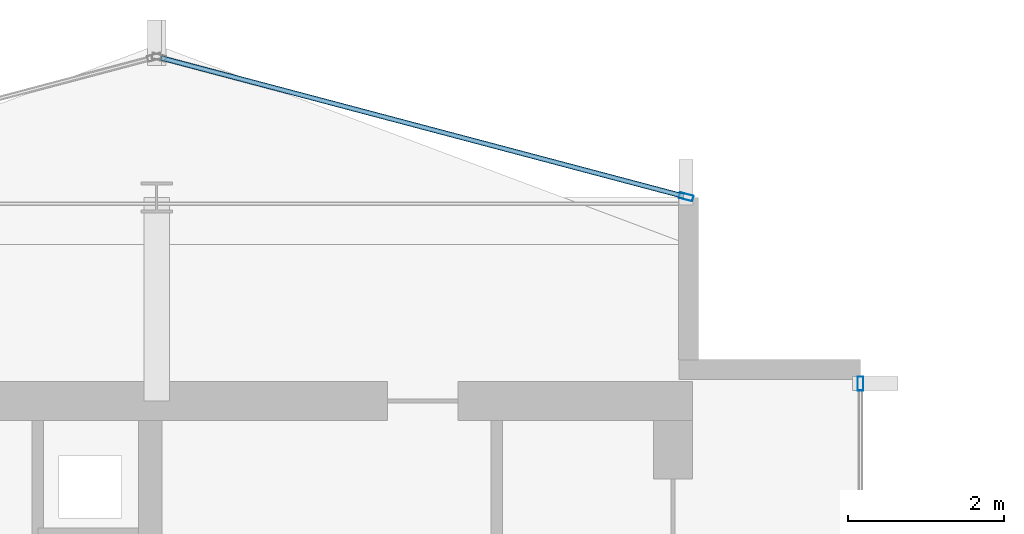
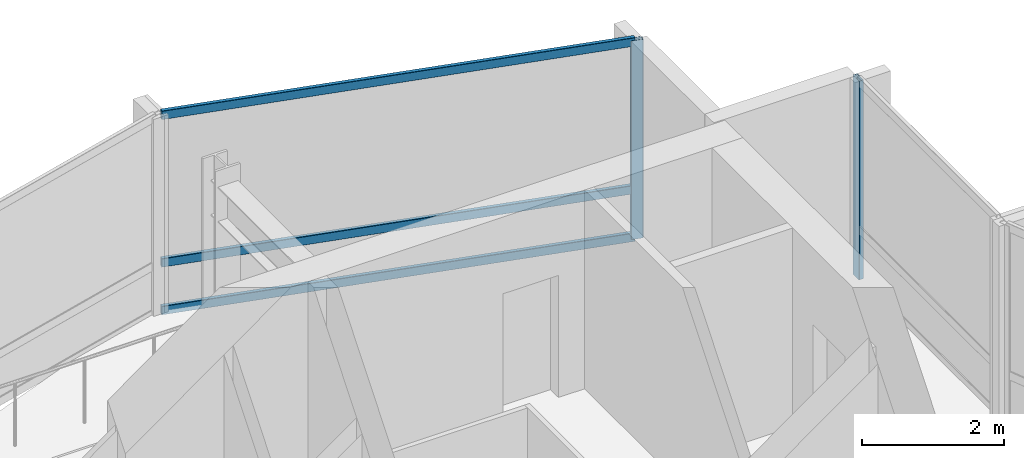
# One storey, part 18 of 28: 5 members, 2 elements without a shape of their own.
"""IFC4 building model written with IfcOpenShell, lengths in metres."""

from ifc_helpers import new_model, si_unit, direction, frame, origin, origin_2d, place, context, subcontext, project, spatial, hollow_rectangle, extrude, material, layer, layer_set, material_profile, profile_set, type_object, element, aggregate, save


model = new_model("IFC4")

# Units and contexts
model_context = context("Model", 3, precision=1e-05, world=origin(), true_north=direction((0.0, 1.0)))
body_context = subcontext(model_context, "Body", "Model", "MODEL_VIEW")
ifc_project = project(units=[si_unit("LENGTHUNIT", "METRE"), si_unit("AREAUNIT", "SQUARE_METRE"), si_unit("VOLUMEUNIT", "CUBIC_METRE"), si_unit("PLANEANGLEUNIT", "RADIAN"), si_unit("MASSUNIT", "GRAM", prefix="KILO")], contexts=[model_context])

# Site, building, storey
site_placement = place(None, origin())
site = spatial("IfcSite", under=ifc_project, at=site_placement, CompositionType="ELEMENT")
building_placement = place(site_placement, origin())
building = spatial("IfcBuilding", under=site, at=building_placement, Name="Solvaryn Broadcast Tower", CompositionType="ELEMENT")
storey_placement = place(building_placement, frame((0.0, 0.0, 206.199951171875)))
storey = spatial("IfcBuildingStorey", under=building, at=storey_placement, Name="L51", CompositionType="ELEMENT", Elevation=206.199951171875)

# Curtain wall, member
ifc_material_1 = material(Name="Aluminium and Terracotta Unitised Curtain Wall", Category="masonry")
ifc_layer = layer(ifc_material_1, 0.199951171875)
ifc_layer_set = layer_set([ifc_layer], Name="CW-SYS2-LOWMID")
curtain_wall_type = type_object("IfcCurtainWallType", Name="CW-SYS2-LOWMID", PredefinedType="NOTDEFINED", material=ifc_layer_set)
curtain_wall_1_placement = place(storey_placement, origin())
curtain_wall_1 = element("IfcCurtainWall", 1, at=curtain_wall_1_placement, inside=storey, type_object=curtain_wall_type, Name="L51 Curtain Wall IV", PredefinedType="NOTDEFINED")
ifc_material_2 = material(Name="Anodised Aluminium 6063-T6", Category="aluminium")
ifc_material_profile_1 = material_profile(ifc_material_2, hollow_rectangle(XDim=0.074951171875, YDim=0.179931640625, WallThickness=0.00390625, InnerFilletRadius=0.00390625, OuterFilletRadius=0.008056640625, at=origin_2d()))
ifc_profile_set_1 = profile_set([ifc_material_profile_1], Name="Anodised Aluminium 6063-T6")
member_type_1 = type_object("IfcMemberType", Name="CW-MUL-180", PredefinedType="MULLION", material=ifc_profile_set_1)
member_1_placement = place(storey_placement, frame((27.0, 42.6201171875, 0.0), z_axis=(0.0, 0.0, 1.0), x_axis=(1.0, 0.0, 0.0)))
member_1 = element("IfcMember", 2, at=member_1_placement, type_object=member_type_1, Name="CWS2 mullion 1", PredefinedType="MULLION", context=body_context, shape_type="SweptSolid", body=[
    extrude(hollow_rectangle(XDim=0.074951171875, YDim=0.179931640625, WallThickness=0.00390625, InnerFilletRadius=0.00390625, OuterFilletRadius=0.008056640625, at=origin_2d()), origin(), (0.0, 0.0, 1.0), 3.420166015625),
])
aggregate(curtain_wall_1, [member_1])

# Curtain wall, members
curtain_wall_2_placement = place(storey_placement, origin())
curtain_wall_2 = element("IfcCurtainWall", 3, at=curtain_wall_2_placement, inside=storey, type_object=curtain_wall_type, Name="L51 Curtain Wall NT1", PredefinedType="NOTDEFINED")
member_2_placement = place(storey_placement, frame((24.77099609375, 45.007568359375, 0.0), z_axis=(0.0, 0.0, 1.0), x_axis=(-0.25589256031, -0.966705227863, 0.0)))
member_2 = element("IfcMember", 4, at=member_2_placement, type_object=member_type_1, Name="CWS2 mullion 1", PredefinedType="MULLION", context=body_context, shape_type="SweptSolid", body=[
    extrude(hollow_rectangle(XDim=0.074951171875, YDim=0.179931640625, WallThickness=0.00390625, InnerFilletRadius=0.00390625, OuterFilletRadius=0.008056640625, at=origin_2d()), origin(), (0.0, 0.0, 1.0), 3.420166015625),
])
ifc_material_3 = material(Name="Anodised Aluminium 6063-T6", Category="aluminium")
ifc_material_profile_2 = material_profile(ifc_material_3, hollow_rectangle(XDim=0.06494140625, YDim=0.14990234375, WallThickness=0.00390625, InnerFilletRadius=0.00390625, OuterFilletRadius=0.008056640625, at=origin_2d()))
ifc_profile_set_2 = profile_set([ifc_material_profile_2], Name="Anodised Aluminium 6063-T6")
member_type_2 = type_object("IfcMemberType", Name="CW-TRN-150", PredefinedType="USERDEFINED", material=ifc_profile_set_2)
member_3_placement = place(storey_placement, frame((24.741943359375, 45.015380859375, 0.030029296875), z_axis=(-0.966703943301, 0.255897413051, 0.0), x_axis=(-0.255897413051, -0.966703943301, 0.0)))
member_3 = element("IfcMember", 5, at=member_3_placement, type_object=member_type_2, Name="CWS2 transom 1.1", ObjectType="TRANSOM", PredefinedType="USERDEFINED", context=body_context, shape_type="SweptSolid", body=[
    extrude(hollow_rectangle(XDim=0.06494140625, YDim=0.14990234375, WallThickness=0.00390625, InnerFilletRadius=0.00390625, OuterFilletRadius=0.008056640625, at=origin_2d()), origin(), (0.0, 0.0, 1.0), 6.9140625),
])
member_4_placement = place(storey_placement, frame((24.741943359375, 45.015380859375, 0.85009765625), z_axis=(-0.966703943301, 0.255897413051, 0.0), x_axis=(-0.255897413051, -0.966703943301, 0.0)))
member_4 = element("IfcMember", 6, at=member_4_placement, type_object=member_type_2, Name="CWS2 transom 1.2", ObjectType="TRANSOM", PredefinedType="USERDEFINED", context=body_context, shape_type="SweptSolid", body=[
    extrude(hollow_rectangle(XDim=0.06494140625, YDim=0.14990234375, WallThickness=0.00390625, InnerFilletRadius=0.00390625, OuterFilletRadius=0.008056640625, at=origin_2d()), origin(), (0.0, 0.0, 1.0), 6.9140625),
])
member_5_placement = place(storey_placement, frame((24.741943359375, 45.015380859375, 3.39013671875), z_axis=(-0.966703943301, 0.255897413051, 0.0), x_axis=(-0.255897413051, -0.966703943301, 0.0)))
member_5 = element("IfcMember", 7, at=member_5_placement, type_object=member_type_2, Name="CWS2 transom 1.3", ObjectType="TRANSOM", PredefinedType="USERDEFINED", context=body_context, shape_type="SweptSolid", body=[
    extrude(hollow_rectangle(XDim=0.06494140625, YDim=0.14990234375, WallThickness=0.00390625, InnerFilletRadius=0.00390625, OuterFilletRadius=0.008056640625, at=origin_2d()), origin(), (0.0, 0.0, 1.0), 6.9140625),
])
aggregate(curtain_wall_2, [member_2, member_3, member_4, member_5])

save(model, "model.ifc")
